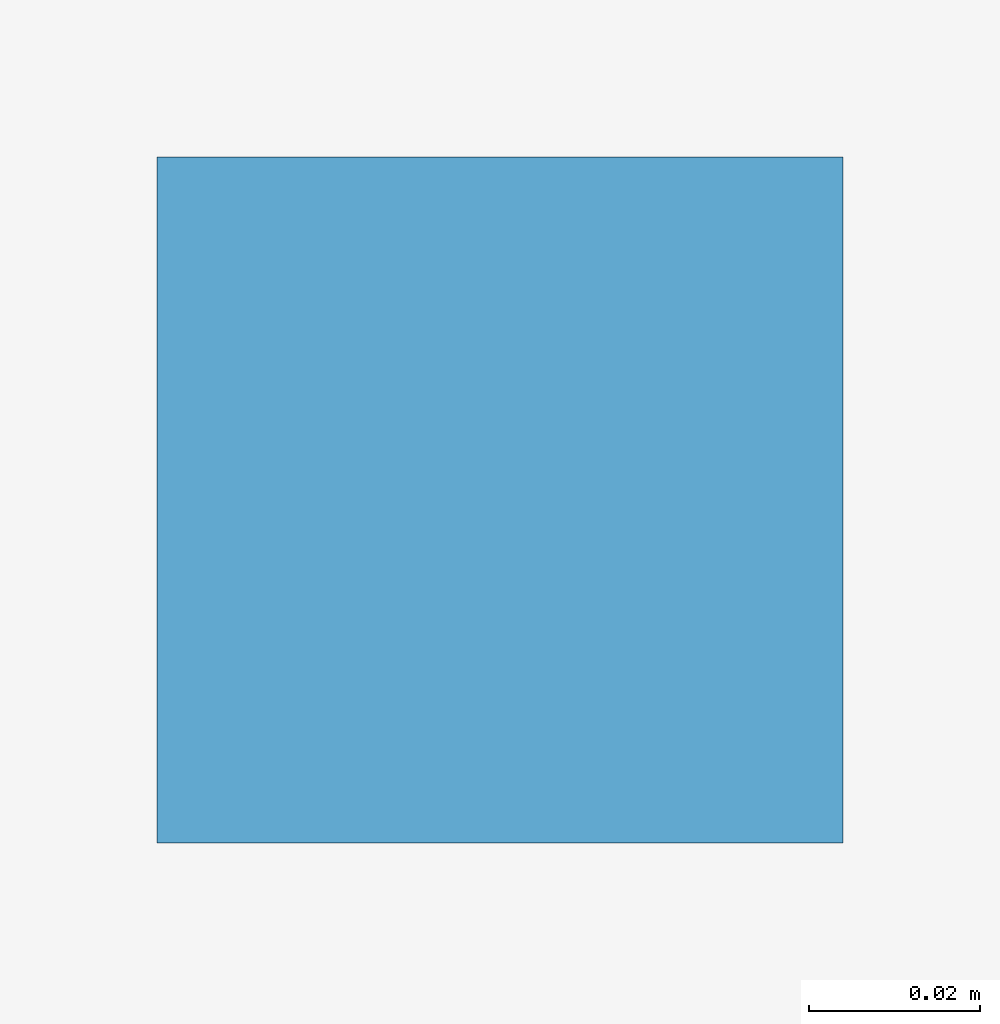
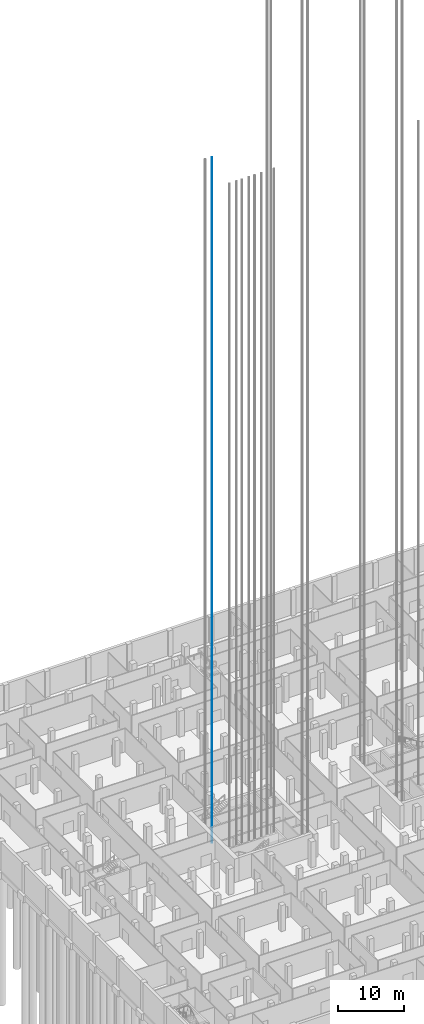
# One storey, part 28 of 54: 1 discrete accessory.
"""IFC4 building model written with IfcOpenShell, lengths in metres."""

from ifc_helpers import new_model, si_unit, direction, frame, origin, origin_2d, place, context, subcontext, project, spatial, rectangle, extrude, material, element, save


model = new_model("IFC4")

# Units and contexts
model_context = context("Model", 3, precision=1e-05, world=origin(), true_north=direction((0.0, 1.0)))
body_context = subcontext(model_context, "Body", "Model", "MODEL_VIEW")
ifc_project = project(units=[si_unit("LENGTHUNIT", "METRE"), si_unit("AREAUNIT", "SQUARE_METRE"), si_unit("VOLUMEUNIT", "CUBIC_METRE"), si_unit("PLANEANGLEUNIT", "RADIAN"), si_unit("MASSUNIT", "GRAM", prefix="KILO")], contexts=[model_context])

# Site, building, storey
site_placement = place(None, origin())
site = spatial("IfcSite", under=ifc_project, at=site_placement, CompositionType="ELEMENT")
building_placement = place(site_placement, origin())
building = spatial("IfcBuilding", under=site, at=building_placement, Name="Fustian Cross Tower", CompositionType="ELEMENT")
storey_placement = place(building_placement, frame((0.0, 0.0, -4.800048828125)))
storey = spatial("IfcBuildingStorey", under=building, at=storey_placement, Name="B1", CompositionType="ELEMENT", Elevation=-4.800048828125)

# Discrete accessory
ifc_material = material(Name="Steel S355", Category="steel")
discrete_accessory_placement = place(storey_placement, frame((-19.27490234375, 3.7099609375, 0.0), z_axis=(0.0, 0.0, 1.0), x_axis=(1.0, 0.0, 0.0)))
element("IfcDiscreteAccessory", 1, at=discrete_accessory_placement, inside=storey, material=ifc_material, Name="Lift guide rail SH2W 2", PredefinedType="NOTDEFINED", context=body_context, shape_type="SweptSolid", body=[
    extrude(rectangle(XDim=0.080078125, YDim=0.080078125, at=origin_2d()), origin(), (0.0, 0.0, 1.0), 127.14990234375),
])

save(model, "model.ifc")
